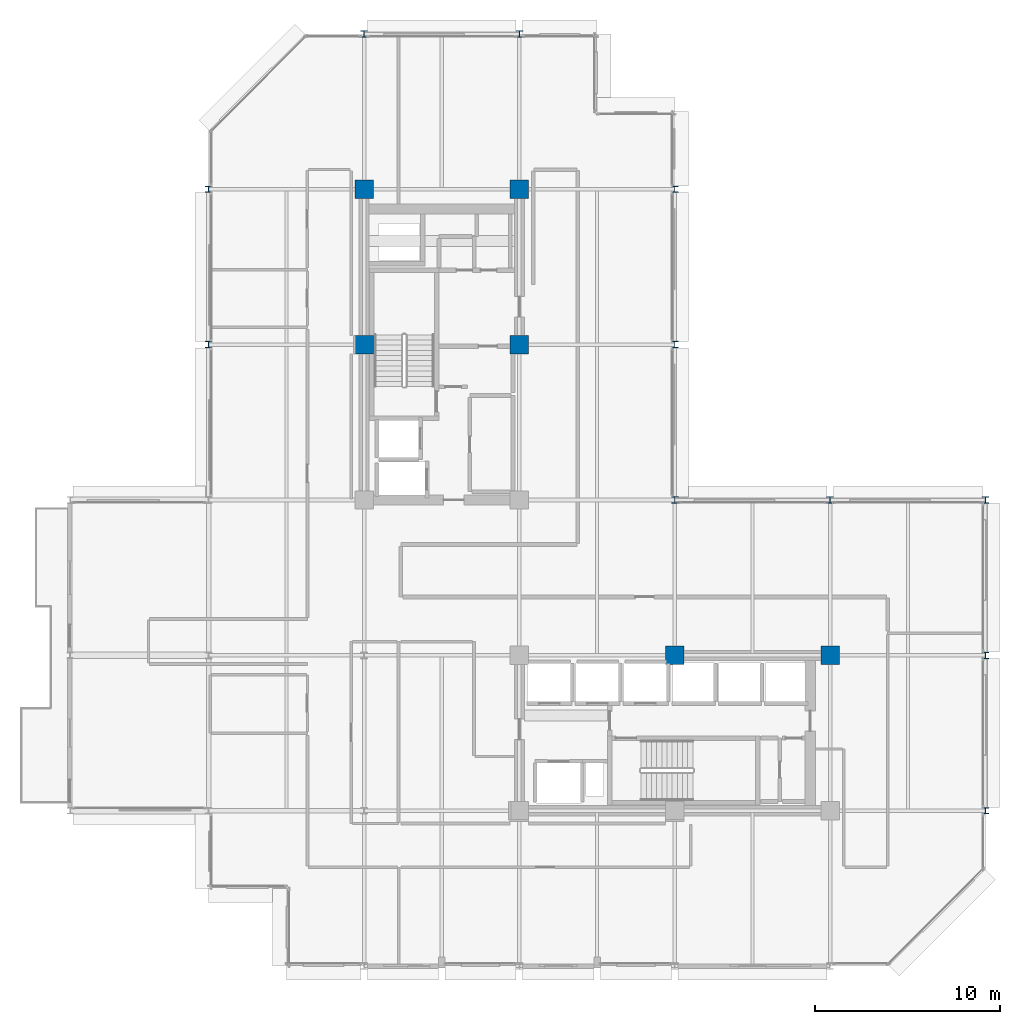
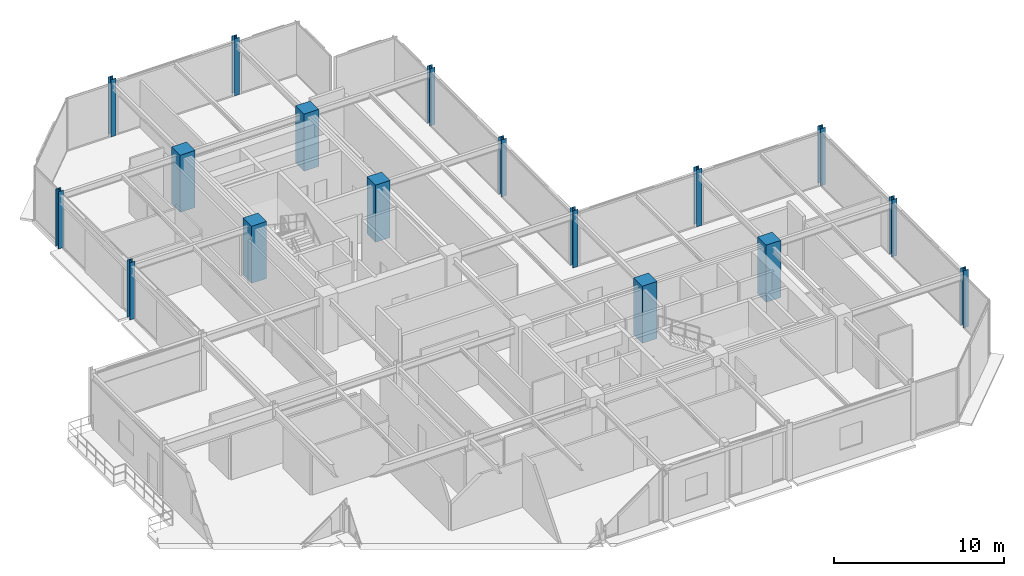
# One storey, part 2 of 29: 17 columns.
"""IFC4 building model written with IfcOpenShell, lengths in metres."""

from ifc_helpers import new_model, si_unit, direction, frame, origin, origin_2d, place, context, subcontext, project, spatial, rectangle, i_section, extrude, material, material_profile, profile_set, type_object, element, save


model = new_model("IFC4")

# Units and contexts
model_context = context("Model", 3, precision=1e-05, world=origin(), true_north=direction((0.0, 1.0)))
body_context = subcontext(model_context, "Body", "Model", "MODEL_VIEW")
ifc_project = project(units=[si_unit("LENGTHUNIT", "METRE"), si_unit("AREAUNIT", "SQUARE_METRE"), si_unit("VOLUMEUNIT", "CUBIC_METRE"), si_unit("PLANEANGLEUNIT", "RADIAN"), si_unit("MASSUNIT", "GRAM", prefix="KILO")], contexts=[model_context])

# Site, building, storey
site_placement = place(None, origin())
site = spatial("IfcSite", under=ifc_project, at=site_placement, CompositionType="ELEMENT")
building_placement = place(site_placement, origin())
building = spatial("IfcBuilding", under=site, at=building_placement, Name="Nerrivon Quay Data Exchange", CompositionType="ELEMENT")
storey_placement = place(building_placement, frame((0.0, 0.0, 179.60009765625)))
storey = spatial("IfcBuildingStorey", under=building, at=storey_placement, Name="L42", CompositionType="ELEMENT", Elevation=179.60009765625)

# Columns
ifc_material_1 = material(Name="Concrete S65 (65 MPa)", Category="concrete")
ifc_material_profile_1 = material_profile(ifc_material_1, rectangle(XDim=1.0, YDim=1.0, at=origin_2d()), Name="RC-COL-1000x1000")
ifc_profile_set_1 = profile_set([ifc_material_profile_1], Name="Concrete S65 (65 MPa)")
column_type_1 = type_object("IfcColumnType", Name="COL-C4-1000", PredefinedType="COLUMN", material=ifc_profile_set_1)
for number, where, z_axis, x_axis, name in (
    (1, (8.39990234375, 33.60009765625, 0.0), (0.0, 0.0, 1.0), (1.0, 0.0, 0.0), "L42 Column (8.4,33.6)"),
    (2, (8.39990234375, 42.0, 0.0), (0.0, 0.0, 1.0), (1.0, 0.0, 0.0), "L42 Column (8.4,42.0)"),
    (3, (16.800048828125, 33.60009765625, 0.0), (0.0, 0.0, 1.0), (1.0, 0.0, 0.0), "L42 Column (16.8,33.6)"),
    (4, (16.800048828125, 42.0, 0.0), (0.0, 0.0, 1.0), (1.0, 0.0, 0.0), "L42 Column (16.8,42.0)"),
    (5, (25.199951171875, 16.800048828125, 0.0), (0.0, 0.0, 1.0), (1.0, 0.0, 0.0), "L42 Column (25.2,16.8)"),
    (6, (33.60009765625, 16.800048828125, 0.0), (0.0, 0.0, 1.0), (1.0, 0.0, 0.0), "L42 Column (33.6,16.8)"),
):
    element("IfcColumn", number, at=place(storey_placement, frame(where, z_axis=z_axis, x_axis=x_axis)), inside=storey, type_object=column_type_1, Name=name, PredefinedType="COLUMN", context=body_context, shape_type="SweptSolid", body=[
        extrude(rectangle(XDim=1.0, YDim=1.0, at=origin_2d()), origin(), (0.0, 0.0, 1.0), 4.099853515625),
    ])
ifc_material_2 = material(Name="Steel Grade 350", Category="steel")
ifc_material_profile_2 = material_profile(ifc_material_2, i_section(OverallWidth=0.35009765625, OverallDepth=0.35009765625, WebThickness=0.02001953125, FlangeThickness=0.031982421875, at=origin_2d()), Name="350WC230")
ifc_profile_set_2 = profile_set([ifc_material_profile_2], Name="Steel Grade 350")
column_type_2 = type_object("IfcColumnType", Name="COL-SC3-350WC", PredefinedType="COLUMN", material=ifc_profile_set_2)
for number, where, z_axis, x_axis, name in (
    (7, (0.0, 33.60009765625, 0.0), (0.0, 0.0, 1.0), (1.0, 0.0, 0.0), "L42 Column (0.0,33.6)"),
    (8, (0.0, 42.0, 0.0), (0.0, 0.0, 1.0), (1.0, 0.0, 0.0), "L42 Column (0.0,42.0)"),
    (9, (8.39990234375, 50.39990234375, 0.0), (0.0, 0.0, 1.0), (1.0, 0.0, 0.0), "L42 Column (8.4,50.4)"),
    (10, (16.800048828125, 50.39990234375, 0.0), (0.0, 0.0, 1.0), (1.0, 0.0, 0.0), "L42 Column (16.8,50.4)"),
    (11, (25.199951171875, 25.199951171875, 0.0), (0.0, 0.0, 1.0), (1.0, 0.0, 0.0), "L42 Column (25.2,25.2)"),
    (12, (25.199951171875, 33.60009765625, 0.0), (0.0, 0.0, 1.0), (1.0, 0.0, 0.0), "L42 Column (25.2,33.6)"),
    (13, (25.199951171875, 42.0, 0.0), (0.0, 0.0, 1.0), (1.0, 0.0, 0.0), "L42 Column (25.2,42.0)"),
    (14, (33.60009765625, 25.199951171875, 0.0), (0.0, 0.0, 1.0), (1.0, 0.0, 0.0), "L42 Column (33.6,25.2)"),
    (15, (42.0, 8.39990234375, 0.0), (0.0, 0.0, 1.0), (1.0, 0.0, 0.0), "L42 Column (42.0,8.4)"),
    (16, (42.0, 16.800048828125, 0.0), (0.0, 0.0, 1.0), (1.0, 0.0, 0.0), "L42 Column (42.0,16.8)"),
    (17, (42.0, 25.199951171875, 0.0), (0.0, 0.0, 1.0), (1.0, 0.0, 0.0), "L42 Column (42.0,25.2)"),
):
    element("IfcColumn", number, at=place(storey_placement, frame(where, z_axis=z_axis, x_axis=x_axis)), inside=storey, type_object=column_type_2, Name=name, PredefinedType="COLUMN", context=body_context, shape_type="SweptSolid", body=[
        extrude(i_section(OverallWidth=0.35009765625, OverallDepth=0.35009765625, WebThickness=0.02001953125, FlangeThickness=0.031982421875, at=origin_2d()), origin(), (0.0, 0.0, 1.0), 4.099853515625),
    ])

save(model, "model.ifc")
